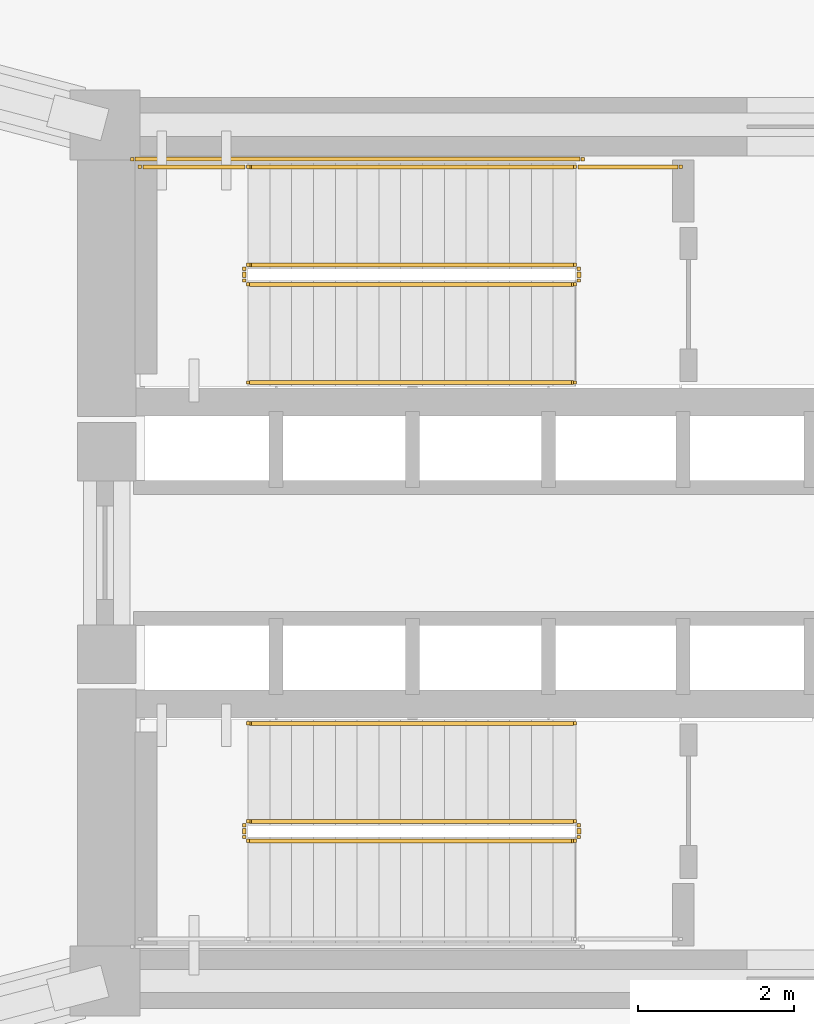
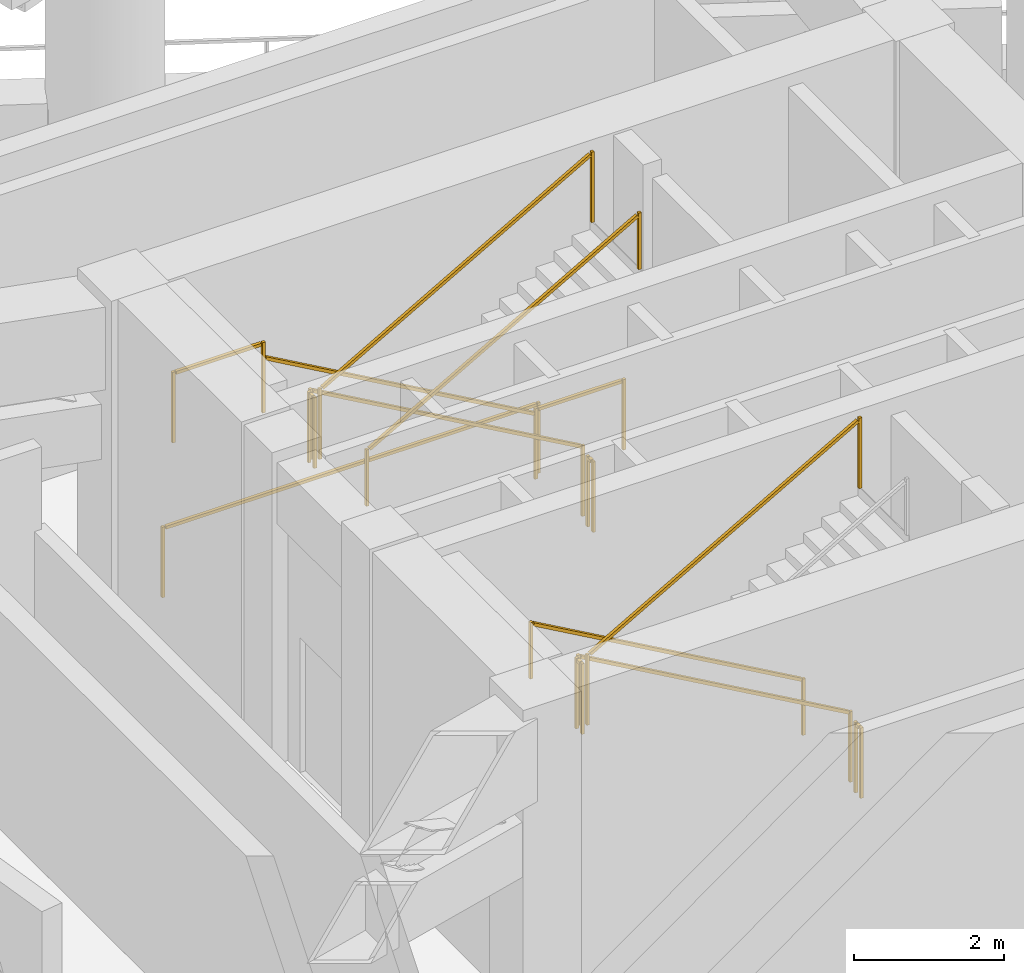
# One storey, part 7 of 8: 14 railings.
"""IFC4 building model written with IfcOpenShell, lengths in metres."""

from ifc_helpers import new_model, si_unit, direction, frame, origin, origin_2d, place, context, subcontext, project, spatial, rectangle, extrude, material, type_object, element, save


model = new_model("IFC4")

# Units and contexts
model_context = context("Model", 3, precision=1e-05, world=origin(), true_north=direction((0.0, 1.0)))
body_context = subcontext(model_context, "Body", "Model", "MODEL_VIEW")
ifc_project = project(units=[si_unit("LENGTHUNIT", "METRE"), si_unit("AREAUNIT", "SQUARE_METRE"), si_unit("VOLUMEUNIT", "CUBIC_METRE"), si_unit("PLANEANGLEUNIT", "RADIAN"), si_unit("MASSUNIT", "GRAM", prefix="KILO")], contexts=[model_context])

# Site, building, storey
site_placement = place(None, origin())
site = spatial("IfcSite", under=ifc_project, at=site_placement, CompositionType="ELEMENT")
building_placement = place(site_placement, origin())
building = spatial("IfcBuilding", under=site, at=building_placement, Name="Yunling Apex Tower", CompositionType="ELEMENT")
storey_placement = place(building_placement, frame((0.0, 0.0, 49.699951171875)))
storey = spatial("IfcBuildingStorey", under=building, at=storey_placement, Name="RF1", CompositionType="ELEMENT", Elevation=49.699951171875)

# Railings
ifc_material_1 = material(Name="Steel Q355B", Category="steel")
railing_type_1 = type_object("IfcRailingType", Name="RL-GRD-1150", PredefinedType="GUARDRAIL", material=ifc_material_1)
railing_1_placement = place(storey_placement, frame((-0.010009765625, 3.699951171875, 0.159423828125)))
element("IfcRailing", 1, at=railing_1_placement, inside=storey, type_object=railing_type_1, Name="RF1 ST-1 stair guard 1", PredefinedType="GUARDRAIL", context=body_context, shape_type="SweptSolid", body=[
    extrude(rectangle(XDim=0.0439453125, YDim=0.0439453125, at=origin_2d()), origin(), (0.0, 0.0, 1.0), 1.14990234375),
    extrude(rectangle(XDim=0.0439453125, YDim=0.0439453125, at=origin_2d()), frame((-4.199951171875, 0.0, 2.390625)), (0.0, 0.0, 1.0), 1.14990234375),
    extrude(rectangle(XDim=0.050048828125, YDim=0.050048828125, at=origin_2d()), frame((-0.033203125, 0.0, 1.143798828125), z_axis=(-0.869075089623, 0.0, 0.494680188199), x_axis=(0.0, -1.0, 0.0)), (0.0, 0.0, 1.0), 4.756103515625),
])
railing_2_placement = place(storey_placement, frame((-4.260009765625, 3.64990234375, 2.550048828125)))
element("IfcRailing", 2, at=railing_2_placement, inside=storey, type_object=railing_type_1, Name="RF1 ST-1 stair guard 2", PredefinedType="GUARDRAIL", context=body_context, shape_type="SweptSolid", body=[
    extrude(rectangle(XDim=0.0439453125, YDim=0.0439453125, at=origin_2d()), origin(), (0.0, 0.0, 1.0), 1.14990234375),
    extrude(rectangle(XDim=0.0439453125, YDim=0.0439453125, at=origin_2d()), frame((0.0, -0.14990234375, 0.0)), (0.0, 0.0, 1.0), 1.14990234375),
    extrude(rectangle(XDim=0.050048828125, YDim=0.050048828125, at=origin_2d()), frame((0.0, -0.038330078125, 1.125), z_axis=(0.0, -1.0, 0.0), x_axis=(1.0, 0.0, 0.0)), (0.0, 0.0, 1.0), 0.0732421875),
])
railing_3_placement = place(storey_placement, frame((-4.2099609375, 4.9599609375, 2.550048828125)))
element("IfcRailing", 3, at=railing_3_placement, inside=storey, type_object=railing_type_1, Name="RF1 ST-1 stair guard 3", PredefinedType="GUARDRAIL", context=body_context, shape_type="SweptSolid", body=[
    extrude(rectangle(XDim=0.0439453125, YDim=0.0439453125, at=origin_2d()), origin(), (0.0, 0.0, 1.0), 1.14990234375),
    extrude(rectangle(XDim=0.0439453125, YDim=0.0439453125, at=origin_2d()), frame((-1.39013671875, 0.0, 0.0)), (0.0, 0.0, 1.0), 1.14990234375),
    extrude(rectangle(XDim=0.050048828125, YDim=0.050048828125, at=origin_2d()), frame((-0.038330078125, 0.0, 1.125), z_axis=(-1.0, 0.0, 0.0), x_axis=(0.0, -1.0, 0.0)), (0.0, 0.0, 1.0), 1.3134765625),
])
railing_4_placement = place(storey_placement, frame((-4.2099609375, 3.449951171875, 2.70947265625)))
element("IfcRailing", 4, at=railing_4_placement, inside=storey, type_object=railing_type_1, Name="RF1 ST-1 stair guard 4", PredefinedType="GUARDRAIL", context=body_context, shape_type="SweptSolid", body=[
    extrude(rectangle(XDim=0.0439453125, YDim=0.0439453125, at=origin_2d()), origin(), (0.0, 0.0, 1.0), 1.14990234375),
    extrude(rectangle(XDim=0.0439453125, YDim=0.0439453125, at=origin_2d()), frame((4.199951171875, 0.0, 2.390625)), (0.0, 0.0, 1.0), 1.14990234375),
    extrude(rectangle(XDim=0.050048828125, YDim=0.050048828125, at=origin_2d()), frame((0.033203125, 0.0, 1.143798828125), z_axis=(0.869075089623, 0.0, 0.494680188199), x_axis=(0.0, 1.0, 0.0)), (0.0, 0.0, 1.0), 4.756103515625),
])
railing_5_placement = place(storey_placement, frame((0.0400390625, 3.64990234375, 0.0)))
element("IfcRailing", 5, at=railing_5_placement, inside=storey, type_object=railing_type_1, Name="RF1 ST-1 stair guard 5", PredefinedType="GUARDRAIL", context=body_context, shape_type="SweptSolid", body=[
    extrude(rectangle(XDim=0.0439453125, YDim=0.0439453125, at=origin_2d()), origin(), (0.0, 0.0, 1.0), 1.14990234375),
    extrude(rectangle(XDim=0.0439453125, YDim=0.0439453125, at=origin_2d()), frame((0.0, -0.14990234375, 0.0)), (0.0, 0.0, 1.0), 1.14990234375),
    extrude(rectangle(XDim=0.050048828125, YDim=0.050048828125, at=origin_2d()), frame((0.0, -0.038330078125, 1.125), z_axis=(0.0, -1.0, 0.0), x_axis=(1.0, 0.0, 0.0)), (0.0, 0.0, 1.0), 0.0732421875),
])
railing_6_placement = place(storey_placement, frame((1.35009765625, 4.9599609375, 0.0)))
element("IfcRailing", 6, at=railing_6_placement, inside=storey, type_object=railing_type_1, Name="RF1 ST-1 stair guard 6", PredefinedType="GUARDRAIL", context=body_context, shape_type="SweptSolid", body=[
    extrude(rectangle(XDim=0.0439453125, YDim=0.0439453125, at=origin_2d()), origin(), (0.0, 0.0, 1.0), 1.14990234375),
    extrude(rectangle(XDim=0.0439453125, YDim=0.0439453125, at=origin_2d()), frame((-1.360107421875, 0.0, 0.0)), (0.0, 0.0, 1.0), 1.14990234375),
    extrude(rectangle(XDim=0.050048828125, YDim=0.050048828125, at=origin_2d()), frame((-0.038330078125, 0.0, 1.125), z_axis=(-1.0, 0.0, 0.0), x_axis=(0.0, -1.0, 0.0)), (0.0, 0.0, 1.0), 1.283447265625),
])
railing_7_placement = place(storey_placement, frame((0.090087890625, 5.06005859375, 0.0)))
element("IfcRailing", 7, at=railing_7_placement, inside=storey, type_object=railing_type_1, Name="RF1 ST-1 stair guard 7", PredefinedType="GUARDRAIL", context=body_context, shape_type="SweptSolid", body=[
    extrude(rectangle(XDim=0.0439453125, YDim=0.0439453125, at=origin_2d()), origin(), (0.0, 0.0, 1.0), 1.14990234375),
    extrude(rectangle(XDim=0.0439453125, YDim=0.0439453125, at=origin_2d()), frame((-5.7900390625, 0.0, 0.0)), (0.0, 0.0, 1.0), 1.14990234375),
    extrude(rectangle(XDim=0.050048828125, YDim=0.050048828125, at=origin_2d()), frame((-0.038330078125, 0.0, 1.125), z_axis=(-1.0, 0.0, 0.0), x_axis=(0.0, -1.0, 0.0)), (0.0, 0.0, 1.0), 5.71337890625),
])
railing_8_placement = place(storey_placement, frame((-0.010009765625, -3.449951171875, 0.159423828125)))
element("IfcRailing", 8, at=railing_8_placement, inside=storey, type_object=railing_type_1, Name="RF1 ST-2 stair guard 1", PredefinedType="GUARDRAIL", context=body_context, shape_type="SweptSolid", body=[
    extrude(rectangle(XDim=0.0439453125, YDim=0.0439453125, at=origin_2d()), origin(), (0.0, 0.0, 1.0), 1.14990234375),
    extrude(rectangle(XDim=0.0439453125, YDim=0.0439453125, at=origin_2d()), frame((-4.199951171875, 0.0, 2.390625)), (0.0, 0.0, 1.0), 1.14990234375),
    extrude(rectangle(XDim=0.050048828125, YDim=0.050048828125, at=origin_2d()), frame((-0.033203125, 0.0, 1.143798828125), z_axis=(-0.869075089623, 0.0, 0.494680188199), x_axis=(0.0, -1.0, 0.0)), (0.0, 0.0, 1.0), 4.756103515625),
])
railing_9_placement = place(storey_placement, frame((-4.260009765625, -3.5, 2.550048828125)))
element("IfcRailing", 9, at=railing_9_placement, inside=storey, type_object=railing_type_1, Name="RF1 ST-2 stair guard 2", PredefinedType="GUARDRAIL", context=body_context, shape_type="SweptSolid", body=[
    extrude(rectangle(XDim=0.0439453125, YDim=0.0439453125, at=origin_2d()), origin(), (0.0, 0.0, 1.0), 1.14990234375),
    extrude(rectangle(XDim=0.0439453125, YDim=0.0439453125, at=origin_2d()), frame((0.0, -0.14990234375, 0.0)), (0.0, 0.0, 1.0), 1.14990234375),
    extrude(rectangle(XDim=0.050048828125, YDim=0.050048828125, at=origin_2d()), frame((0.0, -0.038330078125, 1.125), z_axis=(0.0, -1.0, 0.0), x_axis=(1.0, 0.0, 0.0)), (0.0, 0.0, 1.0), 0.0732421875),
])
railing_10_placement = place(storey_placement, frame((-4.2099609375, -3.699951171875, 2.70947265625)))
element("IfcRailing", 10, at=railing_10_placement, inside=storey, type_object=railing_type_1, Name="RF1 ST-2 stair guard 4", PredefinedType="GUARDRAIL", context=body_context, shape_type="SweptSolid", body=[
    extrude(rectangle(XDim=0.0439453125, YDim=0.0439453125, at=origin_2d()), origin(), (0.0, 0.0, 1.0), 1.14990234375),
    extrude(rectangle(XDim=0.0439453125, YDim=0.0439453125, at=origin_2d()), frame((4.199951171875, 0.0, 2.390625)), (0.0, 0.0, 1.0), 1.14990234375),
    extrude(rectangle(XDim=0.050048828125, YDim=0.050048828125, at=origin_2d()), frame((0.033203125, 0.0, 1.143798828125), z_axis=(0.869075089623, 0.0, 0.494680188199), x_axis=(0.0, 1.0, 0.0)), (0.0, 0.0, 1.0), 4.756103515625),
])
railing_11_placement = place(storey_placement, frame((0.0400390625, -3.5, 0.0)))
element("IfcRailing", 11, at=railing_11_placement, inside=storey, type_object=railing_type_1, Name="RF1 ST-2 stair guard 5", PredefinedType="GUARDRAIL", context=body_context, shape_type="SweptSolid", body=[
    extrude(rectangle(XDim=0.0439453125, YDim=0.0439453125, at=origin_2d()), origin(), (0.0, 0.0, 1.0), 1.14990234375),
    extrude(rectangle(XDim=0.0439453125, YDim=0.0439453125, at=origin_2d()), frame((0.0, -0.14990234375, 0.0)), (0.0, 0.0, 1.0), 1.14990234375),
    extrude(rectangle(XDim=0.050048828125, YDim=0.050048828125, at=origin_2d()), frame((0.0, -0.038330078125, 1.125), z_axis=(0.0, -1.0, 0.0), x_axis=(1.0, 0.0, 0.0)), (0.0, 0.0, 1.0), 0.0732421875),
])
ifc_material_2 = material(Name="Silver anodised aluminium", Category="aluminium")
railing_type_2 = type_object("IfcRailingType", Name="RL-HND-900", PredefinedType="HANDRAIL", material=ifc_material_2)
railing_12_placement = place(storey_placement, frame((-0.010009765625, 4.9599609375, 0.159423828125)))
element("IfcRailing", 12, at=railing_12_placement, inside=storey, type_object=railing_type_2, Name="RF1 ST-1 stair handrail 1", PredefinedType="HANDRAIL", context=body_context, shape_type="SweptSolid", body=[
    extrude(rectangle(XDim=0.0439453125, YDim=0.0439453125, at=origin_2d()), origin(), (0.0, 0.0, 1.0), 0.919921875),
    extrude(rectangle(XDim=0.0439453125, YDim=0.0439453125, at=origin_2d()), frame((-4.199951171875, 0.0, 2.390625)), (0.0, 0.0, 1.0), 0.919921875),
    extrude(rectangle(XDim=0.050048828125, YDim=0.050048828125, at=origin_2d()), frame((-0.033203125, 0.0, 0.913818359375), z_axis=(-0.869075089623, 0.0, 0.494680188199), x_axis=(0.0, -1.0, 0.0)), (0.0, 0.0, 1.0), 4.756103515625),
])
railing_13_placement = place(storey_placement, frame((-4.2099609375, 2.18994140625, 2.70947265625)))
element("IfcRailing", 13, at=railing_13_placement, inside=storey, type_object=railing_type_2, Name="RF1 ST-1 stair handrail 2", PredefinedType="HANDRAIL", context=body_context, shape_type="SweptSolid", body=[
    extrude(rectangle(XDim=0.0439453125, YDim=0.0439453125, at=origin_2d()), origin(), (0.0, 0.0, 1.0), 0.919921875),
    extrude(rectangle(XDim=0.0439453125, YDim=0.0439453125, at=origin_2d()), frame((4.199951171875, 0.0, 2.390625)), (0.0, 0.0, 1.0), 0.919921875),
    extrude(rectangle(XDim=0.050048828125, YDim=0.050048828125, at=origin_2d()), frame((0.033203125, 0.0, 0.913818359375), z_axis=(0.869075089623, 0.0, 0.494680188199), x_axis=(0.0, 1.0, 0.0)), (0.0, 0.0, 1.0), 4.756103515625),
])
railing_14_placement = place(storey_placement, frame((-0.010009765625, -2.18994140625, 0.159423828125)))
element("IfcRailing", 14, at=railing_14_placement, inside=storey, type_object=railing_type_2, Name="RF1 ST-2 stair handrail 1", PredefinedType="HANDRAIL", context=body_context, shape_type="SweptSolid", body=[
    extrude(rectangle(XDim=0.0439453125, YDim=0.0439453125, at=origin_2d()), origin(), (0.0, 0.0, 1.0), 0.919921875),
    extrude(rectangle(XDim=0.0439453125, YDim=0.0439453125, at=origin_2d()), frame((-4.199951171875, 0.0, 2.390625)), (0.0, 0.0, 1.0), 0.919921875),
    extrude(rectangle(XDim=0.050048828125, YDim=0.050048828125, at=origin_2d()), frame((-0.033203125, 0.0, 0.913818359375), z_axis=(-0.869075089623, 0.0, 0.494680188199), x_axis=(0.0, -1.0, 0.0)), (0.0, 0.0, 1.0), 4.756103515625),
])

save(model, "model.ifc")
